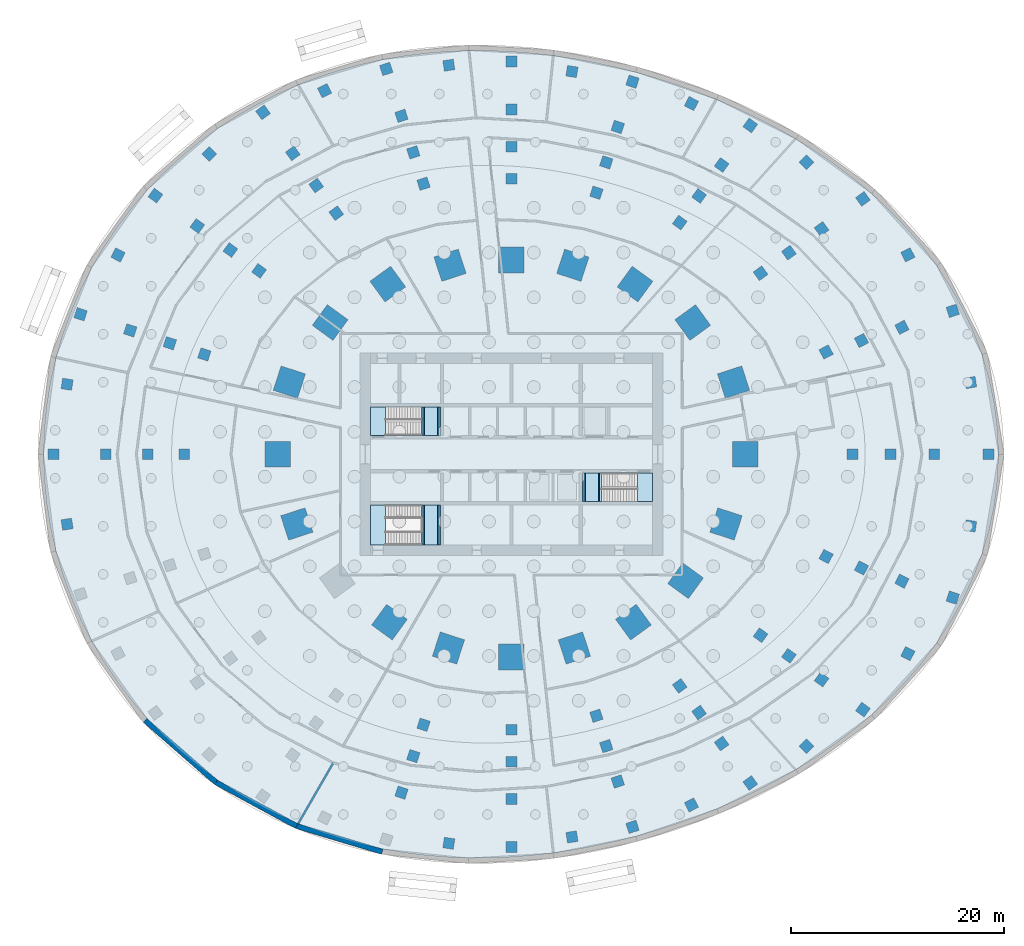
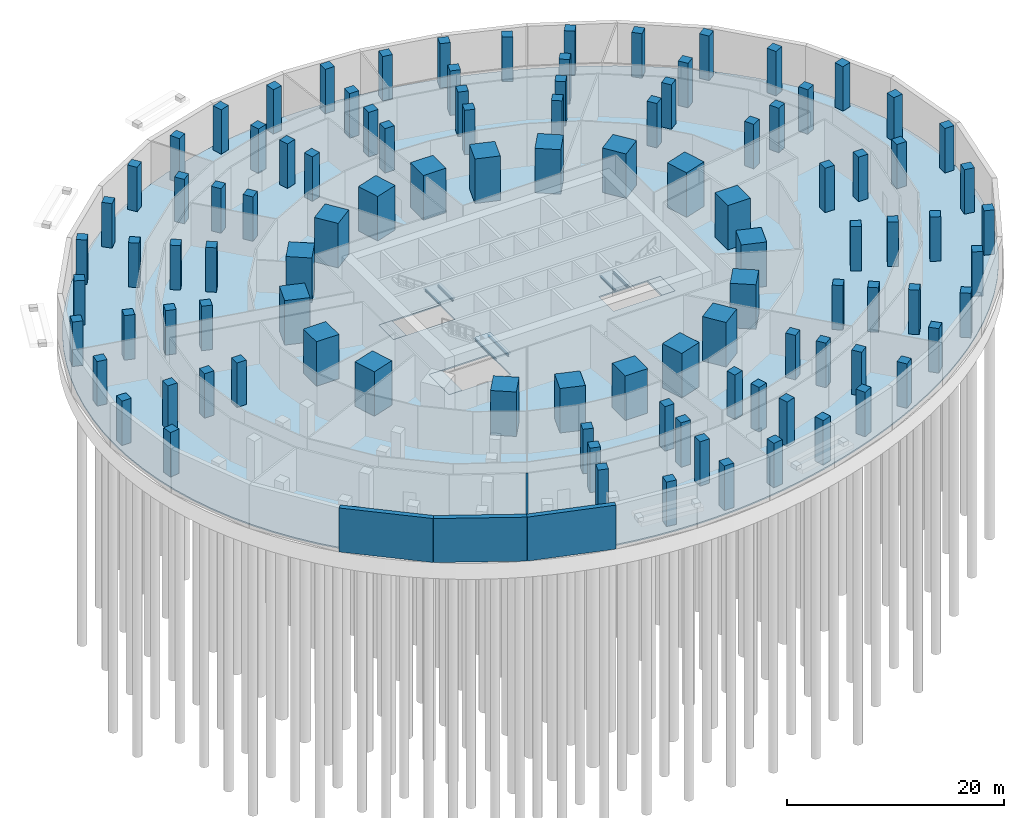
# One storey, part 3 of 11: 103 columns, 7 slabs, 6 beams, 4 walls, 3 elements without a shape of their own.
"""IFC4 building model written with IfcOpenShell, lengths in metres."""

from ifc_helpers import new_model, si_unit, direction, frame, frame_2d, origin, origin_2d, place, context, subcontext, project, spatial, polyline, rectangle, i_section, outline, extrude, material, layer, layer_set, material_profile, profile_set, type_object, element, aggregate, save


model = new_model("IFC4")

# Units and contexts
model_context = context("Model", 3, precision=1e-05, world=origin(), true_north=direction((0.0, 1.0)))
body_context = subcontext(model_context, "Body", "Model", "MODEL_VIEW")
ifc_project = project(units=[si_unit("LENGTHUNIT", "METRE"), si_unit("AREAUNIT", "SQUARE_METRE"), si_unit("VOLUMEUNIT", "CUBIC_METRE"), si_unit("PLANEANGLEUNIT", "RADIAN"), si_unit("MASSUNIT", "GRAM", prefix="KILO")], contexts=[model_context])

# Site, building, storey
site_placement = place(None, origin())
site = spatial("IfcSite", under=ifc_project, at=site_placement, CompositionType="ELEMENT")
building_placement = place(site_placement, origin())
building = spatial("IfcBuilding", under=site, at=building_placement, Name="Marramba Exchange Tower", CompositionType="ELEMENT")
storey_placement = place(building_placement, frame((0.0, 0.0, -5.0)))
storey = spatial("IfcBuildingStorey", under=building, at=storey_placement, Name="B1", CompositionType="ELEMENT", Elevation=-5.0)

# Columns
ifc_material_1 = material(Name="Concrete N50", Category="concrete")
ifc_material_profile_1 = material_profile(ifc_material_1, rectangle(XDim=2.39990234375, YDim=2.39990234375, at=origin_2d()), Name="RC 2400x2400")
ifc_profile_set_1 = profile_set([ifc_material_profile_1], Name="Concrete N50")
column_type_1 = type_object("IfcColumnType", Name="Perimeter column RC 2400x2400 N50", PredefinedType="COLUMN", material=ifc_profile_set_1)
for number, where, z_axis, x_axis, name in (
    (1, (21.89990234375, 0.0, -0.14990234375), (0.0, 0.0, 1.0), (1.0, 0.0, 0.0), "Column TC01 B1"),
    (2, (20.808349609375, 6.760986328125, -0.14990234375), (0.0, 0.0, 1.0), (0.951056516295, 0.309016994375, 0.0), "Column TC02 B1"),
    (3, (16.98583984375, 12.3408203125, -0.14990234375), (0.0, 0.0, 1.0), (0.809016994375, 0.587785252292, 0.0), "Column TC03 B1"),
    (4, (11.581298828125, 15.9404296875, -0.14990234375), (0.0, 0.0, 1.0), (0.587785252292, 0.809016994375, 0.0), "Column TC04 B1"),
    (5, (5.75390625, 17.70849609375, -0.14990234375), (0.0, 0.0, 1.0), (0.309016994375, 0.951056516295, 0.0), "Column TC05 B1"),
    (6, (0.0, 18.2041015625, -0.14990234375), (0.0, 0.0, 1.0), (0.0, 1.0, 0.0), "Column TC06 B1"),
    (7, (-5.75390625, 17.70849609375, -0.14990234375), (0.0, 0.0, 1.0), (-0.309016994375, 0.951056516295, 0.0), "Column TC07 B1"),
    (8, (-11.581298828125, 15.9404296875, -0.14990234375), (0.0, 0.0, 1.0), (-0.587785252292, 0.809016994375, 0.0), "Column TC08 B1"),
    (9, (-16.98583984375, 12.3408203125, -0.14990234375), (0.0, 0.0, 1.0), (-0.809016994375, 0.587785252292, 0.0), "Column TC09 B1"),
    (10, (-20.808349609375, 6.760986328125, -0.14990234375), (0.0, 0.0, 1.0), (-0.951056516295, 0.309016994375, 0.0), "Column TC10 B1"),
    (11, (-21.89990234375, 0.0, -0.14990234375), (0.0, 0.0, 1.0), (-1.0, 0.0, 0.0), "Column TC11 B1"),
    (12, (-20.109375, -6.533935546875, -0.14990234375), (0.0, 0.0, 1.0), (-0.951056516295, -0.309016994375, 0.0), "Column TC12 B1"),
    (13, (-11.430419921875, -15.732666015625, -0.14990234375), (0.0, 0.0, 1.0), (-0.587785252292, -0.809016994375, 0.0), "Column TC14 B1"),
    (14, (-5.899658203125, -18.156982421875, -0.14990234375), (0.0, 0.0, 1.0), (-0.309016994375, -0.951056516295, 0.0), "Column TC15 B1"),
    (15, (0.0, -18.99609375, -0.14990234375), (0.0, 0.0, 1.0), (0.0, -1.0, 0.0), "Column TC16 B1"),
    (16, (5.899658203125, -18.156982421875, -0.14990234375), (0.0, 0.0, 1.0), (0.309016994375, -0.951056516295, 0.0), "Column TC17 B1"),
    (17, (11.430419921875, -15.732666015625, -0.14990234375), (0.0, 0.0, 1.0), (0.587785252292, -0.809016994375, 0.0), "Column TC18 B1"),
    (18, (16.3154296875, -11.853759765625, -0.14990234375), (0.0, 0.0, 1.0), (0.809016994375, -0.587785252292, 0.0), "Column TC19 B1"),
    (19, (20.109375, -6.533935546875, -0.14990234375), (0.0, 0.0, 1.0), (0.951056516295, -0.309016994375, 0.0), "Column TC20 B1"),
):
    element("IfcColumn", number, at=place(storey_placement, frame(where, z_axis=z_axis, x_axis=x_axis)), inside=storey, type_object=column_type_1, Name=name, PredefinedType="COLUMN", context=body_context, shape_type="SweptSolid", body=[
        extrude(rectangle(XDim=2.39990234375, YDim=2.39990234375, at=origin_2d()), origin(), (0.0, 0.0, 1.0), 5.14990234375),
    ])
ifc_material_profile_2 = material_profile(ifc_material_1, rectangle(XDim=1.0, YDim=1.0, at=origin_2d()), Name="RC 1000x1000")
ifc_profile_set_2 = profile_set([ifc_material_profile_2], Name="Concrete N50")
column_type_2 = type_object("IfcColumnType", Name="Podium column RC 1000x1000 N50", PredefinedType="COLUMN", material=ifc_profile_set_2)
for number, where, z_axis, x_axis, name in (
    (20, (44.699951171875, 0.0, -0.14990234375), (0.0, 0.0, 1.0), (1.0, 0.0, 0.0), "Column P0C01 B1"),
    (21, (43.025390625, 6.7177734375, -0.14990234375), (0.0, 0.0, 1.0), (0.987688340595, 0.15643446504, 0.0), "Column P0M01 B1"),
    (22, (41.350830078125, 13.435791015625, -0.14990234375), (0.0, 0.0, 1.0), (0.951056516295, 0.309016994375, 0.0), "Column P0C02 B1"),
    (23, (37.140625, 18.680419921875, -0.14990234375), (0.0, 0.0, 1.0), (0.891006524188, 0.45399049974, 0.0), "Column P0M02 B1"),
    (24, (32.93017578125, 23.92529296875, -0.14990234375), (0.0, 0.0, 1.0), (0.809016994375, 0.587785252292, 0.0), "Column P0C03 B1"),
    (25, (27.655029296875, 27.364013671875, -0.14990234375), (0.0, 0.0, 1.0), (0.707106781187, 0.707106781187, 0.0), "Column P0M03 B1"),
    (26, (22.379638671875, 30.802978515625, -0.14990234375), (0.0, 0.0, 1.0), (0.587785252292, 0.809016994375, 0.0), "Column P0C04 B1"),
    (27, (16.861572265625, 32.857177734375, -0.14990234375), (0.0, 0.0, 1.0), (0.45399049974, 0.891006524188, 0.0), "Column P0M04 B1"),
    (28, (11.343505859375, 34.911376953125, -0.14990234375), (0.0, 0.0, 1.0), (0.309016994375, 0.951056516295, 0.0), "Column P0C05 B1"),
    (29, (5.671630859375, 35.855712890625, -0.14990234375), (0.0, 0.0, 1.0), (0.15643446504, 0.987688340595, 0.0), "Column P0M05 B1"),
    (30, (0.0, 36.800048828125, -0.14990234375), (0.0, 0.0, 1.0), (0.0, 1.0, 0.0), "Column P0C06 B1"),
    (31, (-5.8642578125, 36.44873046875, -0.14990234375), (0.0, 0.0, 1.0), (-0.15643446504, 0.987688340595, 0.0), "Column P0M06 B1"),
    (32, (-11.728759765625, 36.097412109375, -0.14990234375), (0.0, 0.0, 1.0), (-0.309016994375, 0.951056516295, 0.0), "Column P0C07 B1"),
    (33, (-17.501708984375, 34.066162109375, -0.14990234375), (0.0, 0.0, 1.0), (-0.45399049974, 0.891006524188, 0.0), "Column P0M07 B1"),
    (34, (-23.27490234375, 32.03515625, -0.14990234375), (0.0, 0.0, 1.0), (-0.587785252292, 0.809016994375, 0.0), "Column P0C08 B1"),
    (35, (-28.3134765625, 28.13330078125, -0.14990234375), (0.0, 0.0, 1.0), (-0.707106781187, 0.707106781187, 0.0), "Column P0M08 B1"),
    (36, (-33.35205078125, 24.231689453125, -0.14990234375), (0.0, 0.0, 1.0), (-0.809016994375, 0.587785252292, 0.0), "Column P0C09 B1"),
    (37, (-36.857666015625, 18.67333984375, -0.14990234375), (0.0, 0.0, 1.0), (-0.891006524188, 0.45399049974, 0.0), "Column P0M09 B1"),
    (38, (-40.36328125, 13.11474609375, -0.14990234375), (0.0, 0.0, 1.0), (-0.951056516295, 0.309016994375, 0.0), "Column P0C10 B1"),
    (39, (-41.631591796875, 6.557373046875, -0.14990234375), (0.0, 0.0, 1.0), (-0.987688340595, 0.15643446504, 0.0), "Column P0M10 B1"),
    (40, (-42.89990234375, 0.0, -0.14990234375), (0.0, 0.0, 1.0), (-1.0, 0.0, 0.0), "Column P0C11 B1"),
    (41, (-41.631591796875, -6.557373046875, -0.14990234375), (0.0, 0.0, 1.0), (-0.987688340595, -0.15643446504, 0.0), "Column P0M11 B1"),
    (42, (-5.8642578125, -36.44873046875, -0.14990234375), (0.0, 0.0, 1.0), (-0.15643446504, -0.987688340595, 0.0), "Column P0M15 B1"),
    (43, (0.0, -36.800048828125, -0.14990234375), (0.0, 0.0, 1.0), (0.0, -1.0, 0.0), "Column P0C16 B1"),
    (44, (5.671630859375, -35.855712890625, -0.14990234375), (0.0, 0.0, 1.0), (0.15643446504, -0.987688340595, 0.0), "Column P0M16 B1"),
    (45, (11.343505859375, -34.911376953125, -0.14990234375), (0.0, 0.0, 1.0), (0.309016994375, -0.951056516295, 0.0), "Column P0C17 B1"),
    (46, (16.861572265625, -32.857177734375, -0.14990234375), (0.0, 0.0, 1.0), (0.45399049974, -0.891006524188, 0.0), "Column P0M17 B1"),
    (47, (22.379638671875, -30.802978515625, -0.14990234375), (0.0, 0.0, 1.0), (0.587785252292, -0.809016994375, 0.0), "Column P0C18 B1"),
    (48, (27.655029296875, -27.364013671875, -0.14990234375), (0.0, 0.0, 1.0), (0.707106781187, -0.707106781187, 0.0), "Column P0M18 B1"),
    (49, (32.93017578125, -23.92529296875, -0.14990234375), (0.0, 0.0, 1.0), (0.809016994375, -0.587785252292, 0.0), "Column P0C19 B1"),
    (50, (37.140625, -18.680419921875, -0.14990234375), (0.0, 0.0, 1.0), (0.891006524188, -0.45399049974, 0.0), "Column P0M19 B1"),
    (51, (41.350830078125, -13.435791015625, -0.14990234375), (0.0, 0.0, 1.0), (0.951056516295, -0.309016994375, 0.0), "Column P0C20 B1"),
    (52, (43.025390625, -6.7177734375, -0.14990234375), (0.0, 0.0, 1.0), (0.987688340595, -0.15643446504, 0.0), "Column P0M20 B1"),
    (53, (39.60009765625, 0.0, -0.14990234375), (0.0, 0.0, 1.0), (1.0, 0.0, 0.0), "Column P1C01 B1"),
    (54, (36.5888671875, 11.888427734375, -0.14990234375), (0.0, 0.0, 1.0), (0.88715868706, 0.461464477479, 0.0), "Column P1C02 B1"),
    (55, (29.057373046875, 21.111328125, -0.14990234375), (0.0, 0.0, 1.0), (0.809016994375, 0.587785252292, 0.0), "Column P1C03 B1"),
    (56, (19.691650390625, 27.103271484375, -0.14990234375), (0.0, 0.0, 1.0), (0.587785252292, 0.809016994375, 0.0), "Column P1C04 B1"),
    (57, (9.962158203125, 30.66015625, -0.14990234375), (0.0, 0.0, 1.0), (0.309016994375, 0.951056516295, 0.0), "Column P1C05 B1"),
    (58, (0.0, 32.300048828125, -0.14990234375), (0.0, 0.0, 1.0), (0.0, 1.0, 0.0), "Column P1C06 B1"),
    (59, (-10.302001953125, 31.706298828125, -0.14990234375), (0.0, 0.0, 1.0), (-0.309016994375, 0.951056516295, 0.0), "Column P1C07 B1"),
    (60, (-20.482666015625, 28.19189453125, -0.14990234375), (0.0, 0.0, 1.0), (-0.587785252292, 0.809016994375, 0.0), "Column P1C08 B1"),
    (61, (-29.430908203125, 21.3828125, -0.14990234375), (0.0, 0.0, 1.0), (-0.809016994375, 0.587785252292, 0.0), "Column P1C09 B1"),
    (62, (-35.712158203125, 11.603515625, -0.14990234375), (0.0, 0.0, 1.0), (-0.951056516295, 0.309016994375, 0.0), "Column P1C10 B1"),
    (63, (-38.0, 0.0, -0.14990234375), (0.0, 0.0, 1.0), (-1.0, 0.0, 0.0), "Column P1C11 B1"),
    (64, (-10.302001953125, -31.706298828125, -0.14990234375), (0.0, 0.0, 1.0), (-0.309016994375, -0.951056516295, 0.0), "Column P1C15 B1"),
    (65, (0.0, -32.300048828125, -0.14990234375), (0.0, 0.0, 1.0), (0.0, -1.0, 0.0), "Column P1C16 B1"),
    (66, (9.962158203125, -30.66015625, -0.14990234375), (0.0, 0.0, 1.0), (0.309016994375, -0.951056516295, 0.0), "Column P1C17 B1"),
    (67, (19.691650390625, -27.103271484375, -0.14990234375), (0.0, 0.0, 1.0), (0.587785252292, -0.809016994375, 0.0), "Column P1C18 B1"),
    (68, (29.057373046875, -21.111328125, -0.14990234375), (0.0, 0.0, 1.0), (0.809016994375, -0.587785252292, 0.0), "Column P1C19 B1"),
    (69, (36.5888671875, -11.888427734375, -0.14990234375), (0.0, 0.0, 1.0), (0.88715868706, -0.461464477479, 0.0), "Column P1C20 B1"),
    (70, (35.52001953125, 0.0, -0.14990234375), (0.0, 0.0, 1.0), (1.0, 0.0, 0.0), "Column P2C01 B1"),
    (71, (32.793701171875, 10.6552734375, -0.14990234375), (0.0, 0.0, 1.0), (0.885353211435, 0.46491901553, 0.0), "Column P2C02 B1"),
    (72, (25.99658203125, 18.8876953125, -0.14990234375), (0.0, 0.0, 1.0), (0.809016994375, 0.587785252292, 0.0), "Column P2C03 B1"),
    (73, (17.585205078125, 24.203857421875, -0.14990234375), (0.0, 0.0, 1.0), (0.587785252292, 0.809016994375, 0.0), "Column P2C04 B1"),
    (74, (8.8857421875, 27.347412109375, -0.14990234375), (0.0, 0.0, 1.0), (0.309016994375, 0.951056516295, 0.0), "Column P2C05 B1"),
    (75, (0.0, 28.800048828125, -0.14990234375), (0.0, 0.0, 1.0), (0.0, 1.0, 0.0), "Column P2C06 B1"),
    (76, (-9.190185546875, 28.28466796875, -0.14990234375), (0.0, 0.0, 1.0), (-0.309016994375, 0.951056516295, 0.0), "Column P2C07 B1"),
    (77, (-18.29443359375, 25.18017578125, -0.14990234375), (0.0, 0.0, 1.0), (-0.587785252292, 0.809016994375, 0.0), "Column P2C08 B1"),
    (78, (-26.33203125, 19.13134765625, -0.14990234375), (0.0, 0.0, 1.0), (-0.809016994375, 0.587785252292, 0.0), "Column P2C09 B1"),
    (79, (-32.005126953125, 10.399169921875, -0.14990234375), (0.0, 0.0, 1.0), (-0.951056516295, 0.309016994375, 0.0), "Column P2C10 B1"),
    (80, (-34.080078125, 0.0, -0.14990234375), (0.0, 0.0, 1.0), (-1.0, 0.0, 0.0), "Column P2C11 B1"),
    (81, (-9.190185546875, -28.28466796875, -0.14990234375), (0.0, 0.0, 1.0), (-0.309016994375, -0.951056516295, 0.0), "Column P2C15 B1"),
    (82, (0.0, -28.800048828125, -0.14990234375), (0.0, 0.0, 1.0), (0.0, -1.0, 0.0), "Column P2C16 B1"),
    (83, (8.8857421875, -27.347412109375, -0.14990234375), (0.0, 0.0, 1.0), (0.309016994375, -0.951056516295, 0.0), "Column P2C17 B1"),
    (84, (17.585205078125, -24.203857421875, -0.14990234375), (0.0, 0.0, 1.0), (0.587785252292, -0.809016994375, 0.0), "Column P2C18 B1"),
    (85, (25.99658203125, -18.8876953125, -0.14990234375), (0.0, 0.0, 1.0), (0.809016994375, -0.587785252292, 0.0), "Column P2C19 B1"),
    (86, (32.793701171875, -10.6552734375, -0.14990234375), (0.0, 0.0, 1.0), (0.885353211435, -0.46491901553, 0.0), "Column P2C20 B1"),
    (87, (31.949951171875, 0.0, -0.14990234375), (0.0, 0.0, 1.0), (1.0, 0.0, 0.0), "Column P3C01 B1"),
    (88, (29.48193359375, 9.579345703125, -0.14990234375), (0.0, 0.0, 1.0), (0.884188111274, 0.467131013616, 0.0), "Column P3C02 B1"),
    (89, (23.34228515625, 16.959228515625, -0.14990234375), (0.0, 0.0, 1.0), (0.809016994375, 0.587785252292, 0.0), "Column P3C03 B1"),
    (90, (15.769775390625, 21.705078125, -0.14990234375), (0.0, 0.0, 1.0), (0.587785252292, 0.809016994375, 0.0), "Column P3C04 B1"),
    (91, (7.9619140625, 24.50390625, -0.14990234375), (0.0, 0.0, 1.0), (0.309016994375, 0.951056516295, 0.0), "Column P3C05 B1"),
    (92, (0.0, 25.800048828125, -0.14990234375), (0.0, 0.0, 1.0), (0.0, 1.0, 0.0), "Column P3C06 B1"),
    (93, (-8.23583984375, 25.347412109375, -0.14990234375), (0.0, 0.0, 1.0), (-0.309016994375, 0.951056516295, 0.0), "Column P3C07 B1"),
    (94, (-16.40869140625, 22.58447265625, -0.14990234375), (0.0, 0.0, 1.0), (-0.587785252292, 0.809016994375, 0.0), "Column P3C08 B1"),
    (95, (-23.644775390625, 17.178955078125, -0.14990234375), (0.0, 0.0, 1.0), (-0.809016994375, 0.587785252292, 0.0), "Column P3C09 B1"),
    (96, (-28.770263671875, 9.34814453125, -0.14990234375), (0.0, 0.0, 1.0), (-0.951056516295, 0.309016994375, 0.0), "Column P3C10 B1"),
    (97, (-30.64990234375, 0.0, -0.14990234375), (0.0, 0.0, 1.0), (-1.0, 0.0, 0.0), "Column P3C11 B1"),
    (98, (-8.23583984375, -25.347412109375, -0.14990234375), (0.0, 0.0, 1.0), (-0.309016994375, -0.951056516295, 0.0), "Column P3C15 B1"),
    (99, (0.0, -25.800048828125, -0.14990234375), (0.0, 0.0, 1.0), (0.0, -1.0, 0.0), "Column P3C16 B1"),
    (100, (7.9619140625, -24.50390625, -0.14990234375), (0.0, 0.0, 1.0), (0.309016994375, -0.951056516295, 0.0), "Column P3C17 B1"),
    (101, (15.769775390625, -21.705078125, -0.14990234375), (0.0, 0.0, 1.0), (0.587785252292, -0.809016994375, 0.0), "Column P3C18 B1"),
    (102, (23.34228515625, -16.959228515625, -0.14990234375), (0.0, 0.0, 1.0), (0.809016994375, -0.587785252292, 0.0), "Column P3C19 B1"),
    (103, (29.48193359375, -9.579345703125, -0.14990234375), (0.0, 0.0, 1.0), (0.884188111274, -0.467131013616, 0.0), "Column P3C20 B1"),
):
    element("IfcColumn", number, at=place(storey_placement, frame(where, z_axis=z_axis, x_axis=x_axis)), inside=storey, type_object=column_type_2, Name=name, PredefinedType="COLUMN", context=body_context, shape_type="SweptSolid", body=[
        extrude(rectangle(XDim=1.0, YDim=1.0, at=origin_2d()), origin(), (0.0, 0.0, 1.0), 5.14990234375),
    ])

# Beams
ifc_material_2 = material(Name="Steel AS/NZS 3679.1 grade 300", Category="steel")
ifc_material_profile_3 = material_profile(ifc_material_2, i_section(OverallWidth=0.133056640625, OverallDepth=0.202880859375, WebThickness=0.005859375, FlangeThickness=0.0078125, FilletRadius=0.0087890625, at=origin_2d()), Name="200UB25.4")
ifc_profile_set_3 = profile_set([ifc_material_profile_3], Name="Steel AS/NZS 3679.1 grade 300")
beam_type = type_object("IfcBeamType", Name="Stair landing beam 200UB25.4", PredefinedType="BEAM", material=ifc_profile_set_3)
for number, where, z_axis, x_axis, name in (
    (104, (-8.20361328125, 1.75, 2.198486328125), (0.0, 1.0, 0.0), (-1.0, 0.0, 0.0), "Stair landing beam SLB1 ST1 B1 1"),
    (105, (-6.866455078125, 1.75, 2.198486328125), (0.0, 1.0, 0.0), (-1.0, 0.0, 0.0), "Stair landing beam SLB1 ST1 B1 2"),
    (106, (6.866455078125, -4.449951171875, 2.198486328125), (0.0, 1.0, 0.0), (-1.0, 0.0, 0.0), "Stair landing beam SLB1 ST2 B1 1"),
    (107, (8.20361328125, -4.449951171875, 2.198486328125), (0.0, 1.0, 0.0), (-1.0, 0.0, 0.0), "Stair landing beam SLB1 ST2 B1 2"),
):
    element("IfcBeam", number, at=place(storey_placement, frame(where, z_axis=z_axis, x_axis=x_axis)), inside=storey, type_object=beam_type, Name=name, PredefinedType="BEAM", context=body_context, shape_type="SweptSolid", body=[
        extrude(i_section(OverallWidth=0.133056640625, OverallDepth=0.202880859375, WebThickness=0.005859375, FlangeThickness=0.0078125, FilletRadius=0.0087890625, at=origin_2d()), origin(), (0.0, 0.0, 1.0), 2.699951171875),
    ])
for number, where, z_axis, x_axis, name in (
    (108, (-8.20361328125, -8.5, 2.198486328125), (0.0, 1.0, 0.0), (-1.0, 0.0, 0.0), "Stair landing beam SLB1 ST3 B1 1"),
    (109, (-6.866455078125, -8.5, 2.198486328125), (0.0, 1.0, 0.0), (-1.0, 0.0, 0.0), "Stair landing beam SLB1 ST3 B1 2"),
):
    element("IfcBeam", number, at=place(storey_placement, frame(where, z_axis=z_axis, x_axis=x_axis)), inside=storey, type_object=beam_type, Name=name, PredefinedType="BEAM", context=body_context, shape_type="SweptSolid", body=[
        extrude(i_section(OverallWidth=0.133056640625, OverallDepth=0.202880859375, WebThickness=0.005859375, FlangeThickness=0.0078125, FilletRadius=0.0087890625, at=origin_2d()), origin(), (0.0, 0.0, 1.0), 3.75),
    ])

# Slab
ifc_material_3 = material(Name="Concrete N40", Category="concrete")
ifc_layer_1 = layer(ifc_material_3, 0.14990234375)
ifc_layer_set_1 = layer_set([ifc_layer_1], Name="Basement slab on raft 150")
slab_type_1 = type_object("IfcSlabType", Name="Basement slab on raft 150", PredefinedType="BASESLAB", material=ifc_layer_set_1)
slab_1_placement = place(storey_placement, frame((0.0, 0.0, -0.14990234375)))
element("IfcSlab", 110, at=slab_1_placement, inside=storey, type_object=slab_type_1, Name="Floor slab B1", PredefinedType="BASESLAB", context=body_context, shape_type="SweptSolid", body=[
    extrude(outline(polyline([(45.64990234375, 0.0), (45.551025390625, 2.38720703125), (45.256103515625, 4.756591796875), (44.77001953125, 7.0908203125), (44.100341796875, 9.373779296875), (43.257568359375, 11.5908203125), (42.25439453125, 13.729248046875), (41.1044921875, 15.778564453125), (39.82373046875, 17.730712890625), (38.42724609375, 19.57958984375), (36.93115234375, 21.322265625), (35.35009765625, 22.956787109375), (33.698974609375, 24.483642578125), (31.990234375, 25.905029296875), (30.23583984375, 27.224365234375), (28.44580078125, 28.44580078125), (26.62841796875, 29.573974609375), (24.790771484375, 30.6142578125), (22.93798828125, 31.571533203125), (21.073974609375, 32.450927734375), (19.200927734375, 33.257080078125), (17.32080078125, 33.993896484375), (15.43359375, 34.664306640625), (13.5390625, 35.270751953125), (11.636962890625, 35.81494140625), (9.725830078125, 36.29736328125), (7.8046875, 36.718017578125), (5.872314453125, 37.07568359375), (3.927490234375, 37.36865234375), (1.97021484375, 37.594482421875), (0.0, 37.75), (-1.982666015625, 37.83203125), (-3.976806640625, 37.83642578125), (-5.98046875, 37.759765625), (-7.99169921875, 37.597412109375), (-10.0068359375, 37.345703125), (-12.022216796875, 37.000732421875), (-14.03369140625, 36.55908203125), (-16.035888671875, 36.017333984375), (-18.0234375, 35.372802734375), (-19.98974609375, 34.623291015625), (-21.9287109375, 33.767333984375), (-23.833251953125, 32.8037109375), (-25.696044921875, 31.732177734375), (-27.510009765625, 30.552734375), (-29.266845703125, 29.266845703125), (-30.95947265625, 27.876220703125), (-32.580078125, 26.3828125), (-34.12060546875, 24.7900390625), (-35.573486328125, 23.1015625), (-36.93115234375, 21.322265625), (-38.186279296875, 19.456787109375), (-39.331787109375, 17.511474609375), (-40.360595703125, 15.492919921875), (-41.266845703125, 13.408447265625), (-42.04443359375, 11.265869140625), (-42.688232421875, 9.07373046875), (-43.193603515625, 6.84130859375), (-43.557373046875, 4.578125), (-43.776611328125, 2.294189453125), (-43.85009765625, 0.0), (-43.776611328125, -2.294189453125), (-43.557373046875, -4.578125), (-43.193603515625, -6.84130859375), (-42.688232421875, -9.07373046875), (-42.04443359375, -11.265869140625), (-41.266845703125, -13.408447265625), (-40.360595703125, -15.492919921875), (-39.331787109375, -17.511474609375), (-38.186279296875, -19.456787109375), (-36.93115234375, -21.322265625), (-35.573486328125, -23.1015625), (-34.12060546875, -24.7900390625), (-32.580078125, -26.3828125), (-30.95947265625, -27.876220703125), (-29.266845703125, -29.266845703125), (-27.510009765625, -30.552734375), (-25.696044921875, -31.732177734375), (-23.833251953125, -32.8037109375), (-21.9287109375, -33.767333984375), (-19.98974609375, -34.623291015625), (-18.0234375, -35.372802734375), (-16.035888671875, -36.017333984375), (-14.03369140625, -36.55908203125), (-12.022216796875, -37.000732421875), (-10.0068359375, -37.345703125), (-7.99169921875, -37.597412109375), (-5.98046875, -37.759765625), (-3.976806640625, -37.83642578125), (-1.982666015625, -37.83203125), (0.0, -37.75), (1.97021484375, -37.594482421875), (3.927490234375, -37.36865234375), (5.872314453125, -37.07568359375), (7.8046875, -36.718017578125), (9.725830078125, -36.29736328125), (11.636962890625, -35.81494140625), (13.5390625, -35.270751953125), (15.43359375, -34.664306640625), (17.32080078125, -33.993896484375), (19.200927734375, -33.257080078125), (21.073974609375, -32.450927734375), (22.93798828125, -31.571533203125), (24.790771484375, -30.6142578125), (26.62841796875, -29.573974609375), (28.44580078125, -28.44580078125), (30.23583984375, -27.224365234375), (31.990234375, -25.905029296875), (33.698974609375, -24.483642578125), (35.35009765625, -22.956787109375), (36.93115234375, -21.322265625), (38.42724609375, -19.57958984375), (39.82373046875, -17.730712890625), (41.1044921875, -15.778564453125), (42.25439453125, -13.729248046875), (43.257568359375, -11.5908203125), (44.100341796875, -9.373779296875), (44.77001953125, -7.0908203125), (45.256103515625, -4.756591796875), (45.551025390625, -2.38720703125), (45.64990234375, 0.0)]), holes=[polyline([(-13.199951171875, 1.75), (-6.64990234375, 1.75), (-6.64990234375, 4.449951171875), (-13.199951171875, 4.449951171875), (-13.199951171875, 1.75)]), polyline([(6.64990234375, -4.449951171875), (13.199951171875, -4.449951171875), (13.199951171875, -1.75), (6.64990234375, -1.75), (6.64990234375, -4.449951171875)]), polyline([(-13.199951171875, -8.5), (-6.64990234375, -8.5), (-6.64990234375, -4.75), (-13.199951171875, -4.75), (-13.199951171875, -8.5)])]), origin(), (0.0, 0.0, 1.0), 0.14990234375),
])

# Stair, slabs
ifc_material_4 = material(Name="Concrete N40 (40 MPa)", Category="concrete")
stair_type_1 = type_object("IfcStairType", Name="Exit stair ST1 5000 x 1250", PredefinedType="HALF_TURN_STAIR", material=ifc_material_4)
stair_1_placement = place(storey_placement, origin())
stair_1 = element("IfcStair", 111, at=stair_1_placement, inside=storey, type_object=stair_type_1, Name="Exit stair ST1 B1", PredefinedType="HALF_TURN_STAIR")
ifc_layer_2 = layer(ifc_material_4, 0.199951171875)
ifc_layer_set_2 = layer_set([ifc_layer_2], Name="Stair landing 200")
slab_type_2 = type_object("IfcSlabType", Name="Stair landing 200", PredefinedType="LANDING", material=ifc_layer_set_2)
slab_2_placement = place(storey_placement, frame((0.0, 0.0, -0.199951171875)))
slab_2 = element("IfcSlab", 112, at=slab_2_placement, type_object=slab_type_2, Name="ST1 landing 1", PredefinedType="LANDING", context=body_context, shape_type="SweptSolid", body=[
    extrude(outline(polyline([(-13.199951171875, 1.75), (-11.800048828125, 1.75), (-11.800048828125, 4.449951171875), (-13.199951171875, 4.449951171875), (-13.199951171875, 1.75)])), origin(), (0.0, 0.0, 1.0), 0.199951171875),
])
slab_3_placement = place(storey_placement, frame((0.0, 0.0, 2.300048828125)))
slab_3 = element("IfcSlab", 113, at=slab_3_placement, type_object=slab_type_2, Name="ST1 landing 2", PredefinedType="LANDING", context=body_context, shape_type="SweptSolid", body=[
    extrude(outline(polyline([(-8.419921875, 1.75), (-6.64990234375, 1.75), (-6.64990234375, 4.449951171875), (-8.419921875, 4.449951171875), (-8.419921875, 1.75)])), origin(), (0.0, 0.0, 1.0), 0.199951171875),
])
aggregate(stair_1, [slab_2, slab_3])

stair_type_2 = type_object("IfcStairType", Name="Exit stair ST2 5000 x 1250", PredefinedType="HALF_TURN_STAIR", material=ifc_material_4)
stair_2_placement = place(storey_placement, origin())
stair_2 = element("IfcStair", 114, at=stair_2_placement, inside=storey, type_object=stair_type_2, Name="Exit stair ST2 B1", PredefinedType="HALF_TURN_STAIR")
slab_4_placement = place(storey_placement, frame((0.0, 0.0, -0.199951171875)))
slab_4 = element("IfcSlab", 115, at=slab_4_placement, type_object=slab_type_2, Name="ST2 landing 1", PredefinedType="LANDING", context=body_context, shape_type="SweptSolid", body=[
    extrude(outline(polyline([(11.800048828125, -4.449951171875), (13.199951171875, -4.449951171875), (13.199951171875, -1.75), (11.800048828125, -1.75), (11.800048828125, -4.449951171875)])), origin(), (0.0, 0.0, 1.0), 0.199951171875),
])
slab_5_placement = place(storey_placement, frame((0.0, 0.0, 2.300048828125)))
slab_5 = element("IfcSlab", 116, at=slab_5_placement, type_object=slab_type_2, Name="ST2 landing 2", PredefinedType="LANDING", context=body_context, shape_type="SweptSolid", body=[
    extrude(outline(polyline([(6.64990234375, -4.449951171875), (8.419921875, -4.449951171875), (8.419921875, -1.75), (6.64990234375, -1.75), (6.64990234375, -4.449951171875)])), origin(), (0.0, 0.0, 1.0), 0.199951171875),
])
aggregate(stair_2, [slab_4, slab_5])

stair_type_3 = type_object("IfcStairType", Name="Exit stair ST3 5000 x 1250", PredefinedType="HALF_TURN_STAIR", material=ifc_material_4)
stair_3_placement = place(storey_placement, origin())
stair_3 = element("IfcStair", 117, at=stair_3_placement, inside=storey, type_object=stair_type_3, Name="Exit stair ST3 B1", PredefinedType="HALF_TURN_STAIR")
slab_6_placement = place(storey_placement, frame((0.0, 0.0, -0.199951171875)))
slab_6 = element("IfcSlab", 118, at=slab_6_placement, type_object=slab_type_2, Name="ST3 landing 1", PredefinedType="LANDING", context=body_context, shape_type="SweptSolid", body=[
    extrude(outline(polyline([(-13.199951171875, -8.5), (-11.800048828125, -8.5), (-11.800048828125, -4.75), (-13.199951171875, -4.75), (-13.199951171875, -8.5)])), origin(), (0.0, 0.0, 1.0), 0.199951171875),
])
slab_7_placement = place(storey_placement, frame((0.0, 0.0, 2.300048828125)))
slab_7 = element("IfcSlab", 119, at=slab_7_placement, type_object=slab_type_2, Name="ST3 landing 2", PredefinedType="LANDING", context=body_context, shape_type="SweptSolid", body=[
    extrude(outline(polyline([(-8.419921875, -8.5), (-6.64990234375, -8.5), (-6.64990234375, -4.75), (-8.419921875, -4.75), (-8.419921875, -8.5)])), origin(), (0.0, 0.0, 1.0), 0.199951171875),
])
aggregate(stair_3, [slab_6, slab_7])

# Walls
ifc_layer_3 = layer(ifc_material_1, 0.5)
ifc_layer_set_3 = layer_set([ifc_layer_3], Name="Basement retaining wall 500")
wall_type_1 = type_object("IfcWallType", Name="Basement retaining wall 500", PredefinedType="SOLIDWALL", material=ifc_layer_set_3)
wall_1_placement = place(storey_placement, frame((-34.32275390625, -24.93701171875, -0.14990234375), z_axis=(0.0, 0.0, 1.0), x_axis=(0.753323689885, -0.657649920747, 0.0)))
element("IfcWall", 120, at=wall_1_placement, inside=storey, type_object=wall_type_1, Name="Retaining wall RW1-19", PredefinedType="SOLIDWALL", context=body_context, shape_type="SweptSolid", body=[
    extrude(rectangle(XDim=8.821533203125, YDim=0.5, at=frame_2d((4.41064453125, 0.0))), origin(), (0.0, 0.0, 1.0), 4.949951171875),
])
wall_2_placement = place(storey_placement, frame((-27.67724609375, -30.738525390625, -0.14990234375), z_axis=(0.0, 0.0, 1.0), x_axis=(0.879050198661, -0.476729218986, 0.0)))
element("IfcWall", 121, at=wall_2_placement, inside=storey, type_object=wall_type_1, Name="Retaining wall RW1-20", PredefinedType="SOLIDWALL", context=body_context, shape_type="SweptSolid", body=[
    extrude(rectangle(XDim=8.60302734375, YDim=0.5, at=frame_2d((4.301513671875, 0.0))), origin(), (0.0, 0.0, 1.0), 4.949951171875),
])
wall_3_placement = place(storey_placement, frame((-20.11474609375, -34.83984375, -0.14990234375), z_axis=(0.0, 0.0, 1.0), x_axis=(0.958018826272, -0.286705299059, 0.0)))
element("IfcWall", 122, at=wall_3_placement, inside=storey, type_object=wall_type_1, Name="Retaining wall RW1-21", PredefinedType="SOLIDWALL", context=body_context, shape_type="SweptSolid", body=[
    extrude(rectangle(XDim=8.366455078125, YDim=0.5, at=frame_2d((4.18310546875, 0.0))), origin(), (0.0, 0.0, 1.0), 4.949951171875),
])
ifc_material_5 = material(Name="Core-filled concrete blockwork, rendered", Category="masonry")
ifc_layer_4 = layer(ifc_material_5, 0.18994140625)
ifc_layer_set_4 = layer_set([ifc_layer_4], Name="Equipment room wall 190")
wall_type_2 = type_object("IfcWallType", Name="Equipment room wall 190", PredefinedType="SOLIDWALL", material=ifc_layer_set_4)
wall_4_placement = place(storey_placement, frame((-16.6904296875, -28.90869140625, 0.0), z_axis=(0.0, 0.0, 1.0), x_axis=(-0.5000047107, -0.866022684043, 0.0)))
element("IfcWall", 123, at=wall_4_placement, inside=storey, type_object=wall_type_2, Name="Equipment room wall B1 21", PredefinedType="SOLIDWALL", context=body_context, shape_type="SweptSolid", body=[
    extrude(rectangle(XDim=6.5888671875, YDim=0.18994140625, at=frame_2d((3.29443359375, 0.0))), origin(), (0.0, 0.0, 1.0), 4.800048828125),
])

save(model, "model.ifc")
